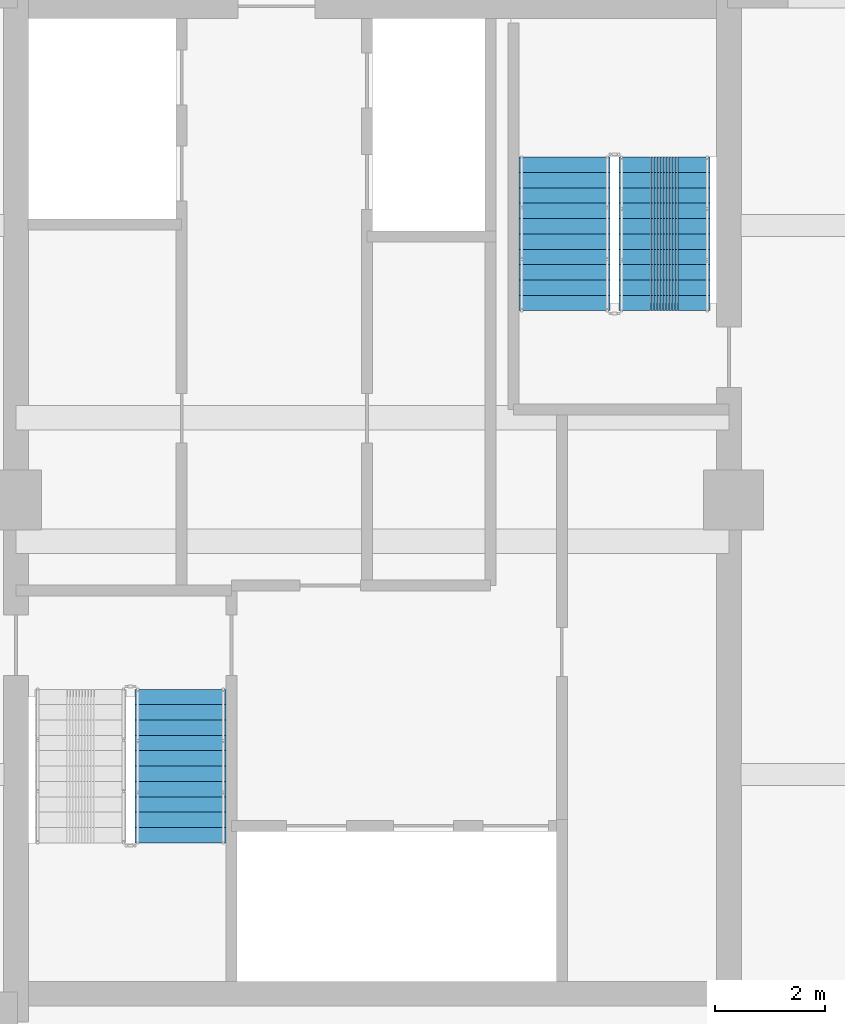
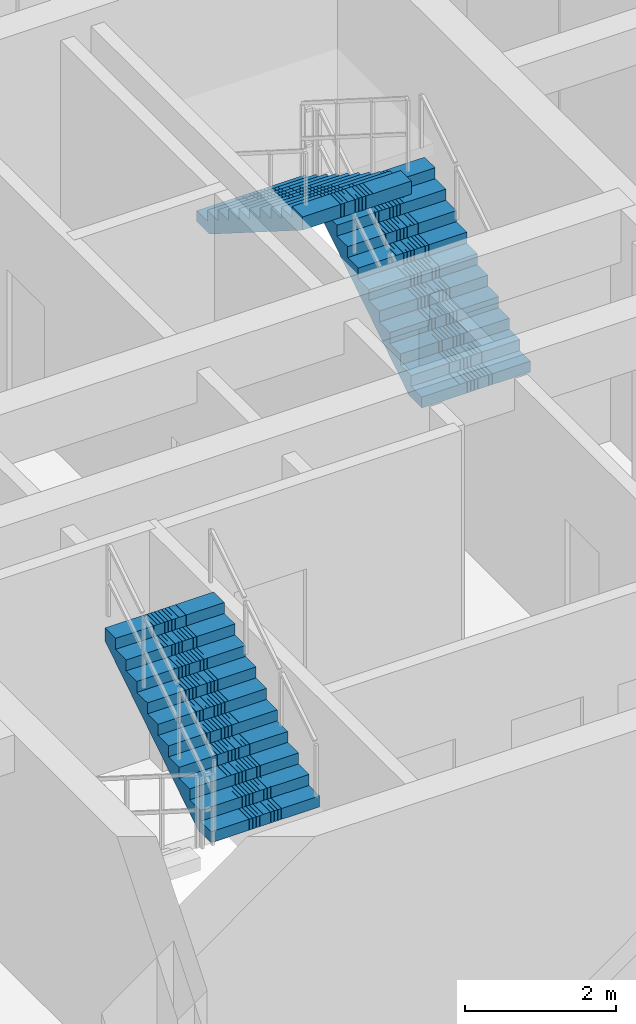
# One storey, part 8 of 13: 3 stair flights, 2 elements without a shape of their own.
"""IFC4 building model written with IfcOpenShell, lengths in metres."""

from ifc_helpers import new_model, si_unit, direction, frame, origin, place, context, subcontext, project, spatial, polyline, outline, extrude, material, type_object, element, aggregate, save


model = new_model("IFC4")

# Units and contexts
model_context = context("Model", 3, precision=1e-05, world=origin(), true_north=direction((0.0, 1.0)))
body_context = subcontext(model_context, "Body", "Model", "MODEL_VIEW")
ifc_project = project(units=[si_unit("LENGTHUNIT", "METRE"), si_unit("AREAUNIT", "SQUARE_METRE"), si_unit("VOLUMEUNIT", "CUBIC_METRE"), si_unit("PLANEANGLEUNIT", "RADIAN"), si_unit("MASSUNIT", "GRAM", prefix="KILO")], contexts=[model_context])

# Site, building, storey
site_placement = place(None, origin())
site = spatial("IfcSite", under=ifc_project, at=site_placement, CompositionType="ELEMENT")
building_placement = place(site_placement, origin())
building = spatial("IfcBuilding", under=site, at=building_placement, Name="Saelheon Loggia Tower", CompositionType="ELEMENT")
storey_placement = place(building_placement, frame((0.0, 0.0, 192.699951171875)))
storey = spatial("IfcBuildingStorey", under=building, at=storey_placement, Name="L60", CompositionType="ELEMENT", Elevation=192.699951171875)

# Stair, stair flight
ifc_material = material(Name="Concrete C40/50", Category="concrete")
stair_type = type_object("IfcStairType", Name="Stair_Escape_Core", PredefinedType="HALF_TURN_STAIR", material=ifc_material)
stair_1_placement = place(storey_placement, origin())
stair_1 = element("IfcStair", 1, at=stair_1_placement, inside=storey, type_object=stair_type, Name="L60 Special Escape Stair ST1", PredefinedType="HALF_TURN_STAIR")
stair_flight_type = type_object("IfcStairFlightType", Name="StairFlight_Tower_1660", PredefinedType="STRAIGHT", material=ifc_material)
stair_flight_1_placement = place(storey_placement, frame((34.5, 20.75, 1.949951171875), z_axis=(0.0, 0.0, 1.0), x_axis=(0.0, 1.0, 0.0)))
stair_flight_1 = element("IfcStairFlight", 2, at=stair_flight_1_placement, type_object=stair_flight_type, Name="ST1 flight 2", NumberOfRisers=11, NumberOfTreads=10, PredefinedType="STRAIGHT", RiserHeight=0.177272727, TreadLength=0.28, context=body_context, shape_type="SweptSolid", body=[
    extrude(outline(polyline([(0.0, 0.0), (0.0, 0.17724609375), (0.280029296875, 0.17724609375), (0.280029296875, 0.3544921875), (0.56005859375, 0.3544921875), (0.56005859375, 0.53173828125), (0.840087890625, 0.53173828125), (0.840087890625, 0.708984375), (1.1201171875, 0.708984375), (1.1201171875, 0.886474609375), (1.39990234375, 0.886474609375), (1.39990234375, 1.063720703125), (1.679931640625, 1.063720703125), (1.679931640625, 1.240966796875), (1.9599609375, 1.240966796875), (1.9599609375, 1.418212890625), (2.239990234375, 1.418212890625), (2.239990234375, 1.595458984375), (2.52001953125, 1.595458984375), (2.52001953125, 1.772705078125), (2.800048828125, 1.772705078125), (2.800048828125, 1.949951171875), (2.800048828125, 1.559814453125), (0.33642578125, 0.0), (0.0, 0.0)])), frame((0.0, -0.2490234375, 0.0), z_axis=(0.0, -1.0, 0.0), x_axis=(1.0, 0.0, 0.0)), (0.0, 0.0, 1.0), 0.5810546875),
    extrude(outline(polyline([(0.0, 0.0), (0.0, 0.17724609375), (0.280029296875, 0.17724609375), (0.280029296875, 0.3544921875), (0.56005859375, 0.3544921875), (0.56005859375, 0.53173828125), (0.840087890625, 0.53173828125), (0.840087890625, 0.708984375), (1.1201171875, 0.708984375), (1.1201171875, 0.886474609375), (1.39990234375, 0.886474609375), (1.39990234375, 1.063720703125), (1.679931640625, 1.063720703125), (1.679931640625, 1.240966796875), (1.9599609375, 1.240966796875), (1.9599609375, 1.418212890625), (2.239990234375, 1.418212890625), (2.239990234375, 1.595458984375), (2.52001953125, 1.595458984375), (2.52001953125, 1.772705078125), (2.800048828125, 1.772705078125), (2.800048828125, 1.949951171875), (2.800048828125, 1.559814453125), (0.33642578125, 0.0), (0.0, 0.0)])), frame((0.0, -0.194091796875, 0.0), z_axis=(0.0, -1.0, 0.0), x_axis=(1.0, 0.0, 0.0)), (0.0, 0.0, 1.0), 0.0498046875),
    extrude(outline(polyline([(0.0, 0.0), (0.0, 0.17724609375), (0.280029296875, 0.17724609375), (0.280029296875, 0.3544921875), (0.56005859375, 0.3544921875), (0.56005859375, 0.53173828125), (0.840087890625, 0.53173828125), (0.840087890625, 0.708984375), (1.1201171875, 0.708984375), (1.1201171875, 0.886474609375), (1.39990234375, 0.886474609375), (1.39990234375, 1.063720703125), (1.679931640625, 1.063720703125), (1.679931640625, 1.240966796875), (1.9599609375, 1.240966796875), (1.9599609375, 1.418212890625), (2.239990234375, 1.418212890625), (2.239990234375, 1.595458984375), (2.52001953125, 1.595458984375), (2.52001953125, 1.772705078125), (2.800048828125, 1.772705078125), (2.800048828125, 1.949951171875), (2.800048828125, 1.559814453125), (0.33642578125, 0.0), (0.0, 0.0)])), frame((0.0, -0.139404296875, 0.0), z_axis=(0.0, -1.0, 0.0), x_axis=(1.0, 0.0, 0.0)), (0.0, 0.0, 1.0), 0.0498046875),
    extrude(outline(polyline([(0.0, 0.0), (0.0, 0.17724609375), (0.280029296875, 0.17724609375), (0.280029296875, 0.3544921875), (0.56005859375, 0.3544921875), (0.56005859375, 0.53173828125), (0.840087890625, 0.53173828125), (0.840087890625, 0.708984375), (1.1201171875, 0.708984375), (1.1201171875, 0.886474609375), (1.39990234375, 0.886474609375), (1.39990234375, 1.063720703125), (1.679931640625, 1.063720703125), (1.679931640625, 1.240966796875), (1.9599609375, 1.240966796875), (1.9599609375, 1.418212890625), (2.239990234375, 1.418212890625), (2.239990234375, 1.595458984375), (2.52001953125, 1.595458984375), (2.52001953125, 1.772705078125), (2.800048828125, 1.772705078125), (2.800048828125, 1.949951171875), (2.800048828125, 1.559814453125), (0.33642578125, 0.0), (0.0, 0.0)])), frame((0.0, -0.084716796875, 0.0), z_axis=(0.0, -1.0, 0.0), x_axis=(1.0, 0.0, 0.0)), (0.0, 0.0, 1.0), 0.0498046875),
    extrude(outline(polyline([(0.0, 0.0), (0.0, 0.17724609375), (0.280029296875, 0.17724609375), (0.280029296875, 0.3544921875), (0.56005859375, 0.3544921875), (0.56005859375, 0.53173828125), (0.840087890625, 0.53173828125), (0.840087890625, 0.708984375), (1.1201171875, 0.708984375), (1.1201171875, 0.886474609375), (1.39990234375, 0.886474609375), (1.39990234375, 1.063720703125), (1.679931640625, 1.063720703125), (1.679931640625, 1.240966796875), (1.9599609375, 1.240966796875), (1.9599609375, 1.418212890625), (2.239990234375, 1.418212890625), (2.239990234375, 1.595458984375), (2.52001953125, 1.595458984375), (2.52001953125, 1.772705078125), (2.800048828125, 1.772705078125), (2.800048828125, 1.949951171875), (2.800048828125, 1.559814453125), (0.33642578125, 0.0), (0.0, 0.0)])), frame((0.0, -0.02978515625, 0.0), z_axis=(0.0, -1.0, 0.0), x_axis=(1.0, 0.0, 0.0)), (0.0, 0.0, 1.0), 0.0498046875),
    extrude(outline(polyline([(0.0, 0.0), (0.0, 0.17724609375), (0.280029296875, 0.17724609375), (0.280029296875, 0.3544921875), (0.56005859375, 0.3544921875), (0.56005859375, 0.53173828125), (0.840087890625, 0.53173828125), (0.840087890625, 0.708984375), (1.1201171875, 0.708984375), (1.1201171875, 0.886474609375), (1.39990234375, 0.886474609375), (1.39990234375, 1.063720703125), (1.679931640625, 1.063720703125), (1.679931640625, 1.240966796875), (1.9599609375, 1.240966796875), (1.9599609375, 1.418212890625), (2.239990234375, 1.418212890625), (2.239990234375, 1.595458984375), (2.52001953125, 1.595458984375), (2.52001953125, 1.772705078125), (2.800048828125, 1.772705078125), (2.800048828125, 1.949951171875), (2.800048828125, 1.559814453125), (0.33642578125, 0.0), (0.0, 0.0)])), frame((0.0, 0.02490234375, 0.0), z_axis=(0.0, -1.0, 0.0), x_axis=(1.0, 0.0, 0.0)), (0.0, 0.0, 1.0), 0.0498046875),
    extrude(outline(polyline([(0.0, 0.0), (0.0, 0.17724609375), (0.280029296875, 0.17724609375), (0.280029296875, 0.3544921875), (0.56005859375, 0.3544921875), (0.56005859375, 0.53173828125), (0.840087890625, 0.53173828125), (0.840087890625, 0.708984375), (1.1201171875, 0.708984375), (1.1201171875, 0.886474609375), (1.39990234375, 0.886474609375), (1.39990234375, 1.063720703125), (1.679931640625, 1.063720703125), (1.679931640625, 1.240966796875), (1.9599609375, 1.240966796875), (1.9599609375, 1.418212890625), (2.239990234375, 1.418212890625), (2.239990234375, 1.595458984375), (2.52001953125, 1.595458984375), (2.52001953125, 1.772705078125), (2.800048828125, 1.772705078125), (2.800048828125, 1.949951171875), (2.800048828125, 1.559814453125), (0.33642578125, 0.0), (0.0, 0.0)])), frame((0.0, 0.07958984375, 0.0), z_axis=(0.0, -1.0, 0.0), x_axis=(1.0, 0.0, 0.0)), (0.0, 0.0, 1.0), 0.0498046875),
    extrude(outline(polyline([(0.0, 0.0), (0.0, 0.17724609375), (0.280029296875, 0.17724609375), (0.280029296875, 0.3544921875), (0.56005859375, 0.3544921875), (0.56005859375, 0.53173828125), (0.840087890625, 0.53173828125), (0.840087890625, 0.708984375), (1.1201171875, 0.708984375), (1.1201171875, 0.886474609375), (1.39990234375, 0.886474609375), (1.39990234375, 1.063720703125), (1.679931640625, 1.063720703125), (1.679931640625, 1.240966796875), (1.9599609375, 1.240966796875), (1.9599609375, 1.418212890625), (2.239990234375, 1.418212890625), (2.239990234375, 1.595458984375), (2.52001953125, 1.595458984375), (2.52001953125, 1.772705078125), (2.800048828125, 1.772705078125), (2.800048828125, 1.949951171875), (2.800048828125, 1.559814453125), (0.33642578125, 0.0), (0.0, 0.0)])), frame((0.0, 0.134521484375, 0.0), z_axis=(0.0, -1.0, 0.0), x_axis=(1.0, 0.0, 0.0)), (0.0, 0.0, 1.0), 0.0498046875),
    extrude(outline(polyline([(0.0, 0.0), (0.0, 0.17724609375), (0.280029296875, 0.17724609375), (0.280029296875, 0.3544921875), (0.56005859375, 0.3544921875), (0.56005859375, 0.53173828125), (0.840087890625, 0.53173828125), (0.840087890625, 0.708984375), (1.1201171875, 0.708984375), (1.1201171875, 0.886474609375), (1.39990234375, 0.886474609375), (1.39990234375, 1.063720703125), (1.679931640625, 1.063720703125), (1.679931640625, 1.240966796875), (1.9599609375, 1.240966796875), (1.9599609375, 1.418212890625), (2.239990234375, 1.418212890625), (2.239990234375, 1.595458984375), (2.52001953125, 1.595458984375), (2.52001953125, 1.772705078125), (2.800048828125, 1.772705078125), (2.800048828125, 1.949951171875), (2.800048828125, 1.559814453125), (0.33642578125, 0.0), (0.0, 0.0)])), frame((0.0, 0.189208984375, 0.0), z_axis=(0.0, -1.0, 0.0), x_axis=(1.0, 0.0, 0.0)), (0.0, 0.0, 1.0), 0.0498046875),
    extrude(outline(polyline([(0.0, 0.0), (0.0, 0.17724609375), (0.280029296875, 0.17724609375), (0.280029296875, 0.3544921875), (0.56005859375, 0.3544921875), (0.56005859375, 0.53173828125), (0.840087890625, 0.53173828125), (0.840087890625, 0.708984375), (1.1201171875, 0.708984375), (1.1201171875, 0.886474609375), (1.39990234375, 0.886474609375), (1.39990234375, 1.063720703125), (1.679931640625, 1.063720703125), (1.679931640625, 1.240966796875), (1.9599609375, 1.240966796875), (1.9599609375, 1.418212890625), (2.239990234375, 1.418212890625), (2.239990234375, 1.595458984375), (2.52001953125, 1.595458984375), (2.52001953125, 1.772705078125), (2.800048828125, 1.772705078125), (2.800048828125, 1.949951171875), (2.800048828125, 1.559814453125), (0.33642578125, 0.0), (0.0, 0.0)])), frame((0.0, 0.243896484375, 0.0), z_axis=(0.0, -1.0, 0.0), x_axis=(1.0, 0.0, 0.0)), (0.0, 0.0, 1.0), 0.0498046875),
    extrude(outline(polyline([(0.0, 0.0), (0.0, 0.17724609375), (0.280029296875, 0.17724609375), (0.280029296875, 0.3544921875), (0.56005859375, 0.3544921875), (0.56005859375, 0.53173828125), (0.840087890625, 0.53173828125), (0.840087890625, 0.708984375), (1.1201171875, 0.708984375), (1.1201171875, 0.886474609375), (1.39990234375, 0.886474609375), (1.39990234375, 1.063720703125), (1.679931640625, 1.063720703125), (1.679931640625, 1.240966796875), (1.9599609375, 1.240966796875), (1.9599609375, 1.418212890625), (2.239990234375, 1.418212890625), (2.239990234375, 1.595458984375), (2.52001953125, 1.595458984375), (2.52001953125, 1.772705078125), (2.800048828125, 1.772705078125), (2.800048828125, 1.949951171875), (2.800048828125, 1.559814453125), (0.33642578125, 0.0), (0.0, 0.0)])), frame((0.0, 0.830078125, 0.0), z_axis=(0.0, -1.0, 0.0), x_axis=(1.0, 0.0, 0.0)), (0.0, 0.0, 1.0), 0.5810546875),
])
aggregate(stair_1, [stair_flight_1])

# Stair, stair flights
stair_2_placement = place(storey_placement, origin())
stair_2 = element("IfcStair", 3, at=stair_2_placement, inside=storey, type_object=stair_type, Name="L60 Special Escape Stair ST2", PredefinedType="HALF_TURN_STAIR")
stair_flight_2_placement = place(storey_placement, frame((43.320068359375, 30.449951171875, 0.0), z_axis=(0.0, 0.0, 1.0), x_axis=(0.0, 1.0, 0.0)))
stair_flight_2 = element("IfcStairFlight", 4, at=stair_flight_2_placement, type_object=stair_flight_type, Name="ST2 flight 1", NumberOfRisers=11, NumberOfTreads=10, PredefinedType="STRAIGHT", RiserHeight=0.177272727, TreadLength=0.28, context=body_context, shape_type="SweptSolid", body=[
    extrude(outline(polyline([(0.0, 0.0), (0.0, 0.17724609375), (0.280029296875, 0.17724609375), (0.280029296875, 0.3544921875), (0.56005859375, 0.3544921875), (0.56005859375, 0.53173828125), (0.840087890625, 0.53173828125), (0.840087890625, 0.708984375), (1.1201171875, 0.708984375), (1.1201171875, 0.886474609375), (1.39990234375, 0.886474609375), (1.39990234375, 1.063720703125), (1.679931640625, 1.063720703125), (1.679931640625, 1.240966796875), (1.9599609375, 1.240966796875), (1.9599609375, 1.418212890625), (2.239990234375, 1.418212890625), (2.239990234375, 1.595458984375), (2.52001953125, 1.595458984375), (2.52001953125, 1.772705078125), (2.800048828125, 1.772705078125), (2.800048828125, 1.949951171875), (2.800048828125, 1.559814453125), (0.33642578125, 0.0), (0.0, 0.0)])), frame((0.0, -0.2490234375, 0.0), z_axis=(0.0, -1.0, 0.0), x_axis=(1.0, 0.0, 0.0)), (0.0, 0.0, 1.0), 0.5810546875),
    extrude(outline(polyline([(0.0, 0.0), (0.0, 0.17724609375), (0.280029296875, 0.17724609375), (0.280029296875, 0.3544921875), (0.56005859375, 0.3544921875), (0.56005859375, 0.53173828125), (0.840087890625, 0.53173828125), (0.840087890625, 0.708984375), (1.1201171875, 0.708984375), (1.1201171875, 0.886474609375), (1.39990234375, 0.886474609375), (1.39990234375, 1.063720703125), (1.679931640625, 1.063720703125), (1.679931640625, 1.240966796875), (1.9599609375, 1.240966796875), (1.9599609375, 1.418212890625), (2.239990234375, 1.418212890625), (2.239990234375, 1.595458984375), (2.52001953125, 1.595458984375), (2.52001953125, 1.772705078125), (2.800048828125, 1.772705078125), (2.800048828125, 1.949951171875), (2.800048828125, 1.559814453125), (0.33642578125, 0.0), (0.0, 0.0)])), frame((0.0, -0.194091796875, 0.0), z_axis=(0.0, -1.0, 0.0), x_axis=(1.0, 0.0, 0.0)), (0.0, 0.0, 1.0), 0.0498046875),
    extrude(outline(polyline([(0.0, 0.0), (0.0, 0.17724609375), (0.280029296875, 0.17724609375), (0.280029296875, 0.3544921875), (0.56005859375, 0.3544921875), (0.56005859375, 0.53173828125), (0.840087890625, 0.53173828125), (0.840087890625, 0.708984375), (1.1201171875, 0.708984375), (1.1201171875, 0.886474609375), (1.39990234375, 0.886474609375), (1.39990234375, 1.063720703125), (1.679931640625, 1.063720703125), (1.679931640625, 1.240966796875), (1.9599609375, 1.240966796875), (1.9599609375, 1.418212890625), (2.239990234375, 1.418212890625), (2.239990234375, 1.595458984375), (2.52001953125, 1.595458984375), (2.52001953125, 1.772705078125), (2.800048828125, 1.772705078125), (2.800048828125, 1.949951171875), (2.800048828125, 1.559814453125), (0.33642578125, 0.0), (0.0, 0.0)])), frame((0.0, -0.139404296875, 0.0), z_axis=(0.0, -1.0, 0.0), x_axis=(1.0, 0.0, 0.0)), (0.0, 0.0, 1.0), 0.0498046875),
    extrude(outline(polyline([(0.0, 0.0), (0.0, 0.17724609375), (0.280029296875, 0.17724609375), (0.280029296875, 0.3544921875), (0.56005859375, 0.3544921875), (0.56005859375, 0.53173828125), (0.840087890625, 0.53173828125), (0.840087890625, 0.708984375), (1.1201171875, 0.708984375), (1.1201171875, 0.886474609375), (1.39990234375, 0.886474609375), (1.39990234375, 1.063720703125), (1.679931640625, 1.063720703125), (1.679931640625, 1.240966796875), (1.9599609375, 1.240966796875), (1.9599609375, 1.418212890625), (2.239990234375, 1.418212890625), (2.239990234375, 1.595458984375), (2.52001953125, 1.595458984375), (2.52001953125, 1.772705078125), (2.800048828125, 1.772705078125), (2.800048828125, 1.949951171875), (2.800048828125, 1.559814453125), (0.33642578125, 0.0), (0.0, 0.0)])), frame((0.0, -0.084716796875, 0.0), z_axis=(0.0, -1.0, 0.0), x_axis=(1.0, 0.0, 0.0)), (0.0, 0.0, 1.0), 0.0498046875),
    extrude(outline(polyline([(0.0, 0.0), (0.0, 0.17724609375), (0.280029296875, 0.17724609375), (0.280029296875, 0.3544921875), (0.56005859375, 0.3544921875), (0.56005859375, 0.53173828125), (0.840087890625, 0.53173828125), (0.840087890625, 0.708984375), (1.1201171875, 0.708984375), (1.1201171875, 0.886474609375), (1.39990234375, 0.886474609375), (1.39990234375, 1.063720703125), (1.679931640625, 1.063720703125), (1.679931640625, 1.240966796875), (1.9599609375, 1.240966796875), (1.9599609375, 1.418212890625), (2.239990234375, 1.418212890625), (2.239990234375, 1.595458984375), (2.52001953125, 1.595458984375), (2.52001953125, 1.772705078125), (2.800048828125, 1.772705078125), (2.800048828125, 1.949951171875), (2.800048828125, 1.559814453125), (0.33642578125, 0.0), (0.0, 0.0)])), frame((0.0, -0.02978515625, 0.0), z_axis=(0.0, -1.0, 0.0), x_axis=(1.0, 0.0, 0.0)), (0.0, 0.0, 1.0), 0.0498046875),
    extrude(outline(polyline([(0.0, 0.0), (0.0, 0.17724609375), (0.280029296875, 0.17724609375), (0.280029296875, 0.3544921875), (0.56005859375, 0.3544921875), (0.56005859375, 0.53173828125), (0.840087890625, 0.53173828125), (0.840087890625, 0.708984375), (1.1201171875, 0.708984375), (1.1201171875, 0.886474609375), (1.39990234375, 0.886474609375), (1.39990234375, 1.063720703125), (1.679931640625, 1.063720703125), (1.679931640625, 1.240966796875), (1.9599609375, 1.240966796875), (1.9599609375, 1.418212890625), (2.239990234375, 1.418212890625), (2.239990234375, 1.595458984375), (2.52001953125, 1.595458984375), (2.52001953125, 1.772705078125), (2.800048828125, 1.772705078125), (2.800048828125, 1.949951171875), (2.800048828125, 1.559814453125), (0.33642578125, 0.0), (0.0, 0.0)])), frame((0.0, 0.02490234375, 0.0), z_axis=(0.0, -1.0, 0.0), x_axis=(1.0, 0.0, 0.0)), (0.0, 0.0, 1.0), 0.0498046875),
    extrude(outline(polyline([(0.0, 0.0), (0.0, 0.17724609375), (0.280029296875, 0.17724609375), (0.280029296875, 0.3544921875), (0.56005859375, 0.3544921875), (0.56005859375, 0.53173828125), (0.840087890625, 0.53173828125), (0.840087890625, 0.708984375), (1.1201171875, 0.708984375), (1.1201171875, 0.886474609375), (1.39990234375, 0.886474609375), (1.39990234375, 1.063720703125), (1.679931640625, 1.063720703125), (1.679931640625, 1.240966796875), (1.9599609375, 1.240966796875), (1.9599609375, 1.418212890625), (2.239990234375, 1.418212890625), (2.239990234375, 1.595458984375), (2.52001953125, 1.595458984375), (2.52001953125, 1.772705078125), (2.800048828125, 1.772705078125), (2.800048828125, 1.949951171875), (2.800048828125, 1.559814453125), (0.33642578125, 0.0), (0.0, 0.0)])), frame((0.0, 0.07958984375, 0.0), z_axis=(0.0, -1.0, 0.0), x_axis=(1.0, 0.0, 0.0)), (0.0, 0.0, 1.0), 0.0498046875),
    extrude(outline(polyline([(0.0, 0.0), (0.0, 0.17724609375), (0.280029296875, 0.17724609375), (0.280029296875, 0.3544921875), (0.56005859375, 0.3544921875), (0.56005859375, 0.53173828125), (0.840087890625, 0.53173828125), (0.840087890625, 0.708984375), (1.1201171875, 0.708984375), (1.1201171875, 0.886474609375), (1.39990234375, 0.886474609375), (1.39990234375, 1.063720703125), (1.679931640625, 1.063720703125), (1.679931640625, 1.240966796875), (1.9599609375, 1.240966796875), (1.9599609375, 1.418212890625), (2.239990234375, 1.418212890625), (2.239990234375, 1.595458984375), (2.52001953125, 1.595458984375), (2.52001953125, 1.772705078125), (2.800048828125, 1.772705078125), (2.800048828125, 1.949951171875), (2.800048828125, 1.559814453125), (0.33642578125, 0.0), (0.0, 0.0)])), frame((0.0, 0.134521484375, 0.0), z_axis=(0.0, -1.0, 0.0), x_axis=(1.0, 0.0, 0.0)), (0.0, 0.0, 1.0), 0.0498046875),
    extrude(outline(polyline([(0.0, 0.0), (0.0, 0.17724609375), (0.280029296875, 0.17724609375), (0.280029296875, 0.3544921875), (0.56005859375, 0.3544921875), (0.56005859375, 0.53173828125), (0.840087890625, 0.53173828125), (0.840087890625, 0.708984375), (1.1201171875, 0.708984375), (1.1201171875, 0.886474609375), (1.39990234375, 0.886474609375), (1.39990234375, 1.063720703125), (1.679931640625, 1.063720703125), (1.679931640625, 1.240966796875), (1.9599609375, 1.240966796875), (1.9599609375, 1.418212890625), (2.239990234375, 1.418212890625), (2.239990234375, 1.595458984375), (2.52001953125, 1.595458984375), (2.52001953125, 1.772705078125), (2.800048828125, 1.772705078125), (2.800048828125, 1.949951171875), (2.800048828125, 1.559814453125), (0.33642578125, 0.0), (0.0, 0.0)])), frame((0.0, 0.189208984375, 0.0), z_axis=(0.0, -1.0, 0.0), x_axis=(1.0, 0.0, 0.0)), (0.0, 0.0, 1.0), 0.0498046875),
    extrude(outline(polyline([(0.0, 0.0), (0.0, 0.17724609375), (0.280029296875, 0.17724609375), (0.280029296875, 0.3544921875), (0.56005859375, 0.3544921875), (0.56005859375, 0.53173828125), (0.840087890625, 0.53173828125), (0.840087890625, 0.708984375), (1.1201171875, 0.708984375), (1.1201171875, 0.886474609375), (1.39990234375, 0.886474609375), (1.39990234375, 1.063720703125), (1.679931640625, 1.063720703125), (1.679931640625, 1.240966796875), (1.9599609375, 1.240966796875), (1.9599609375, 1.418212890625), (2.239990234375, 1.418212890625), (2.239990234375, 1.595458984375), (2.52001953125, 1.595458984375), (2.52001953125, 1.772705078125), (2.800048828125, 1.772705078125), (2.800048828125, 1.949951171875), (2.800048828125, 1.559814453125), (0.33642578125, 0.0), (0.0, 0.0)])), frame((0.0, 0.243896484375, 0.0), z_axis=(0.0, -1.0, 0.0), x_axis=(1.0, 0.0, 0.0)), (0.0, 0.0, 1.0), 0.0498046875),
    extrude(outline(polyline([(0.0, 0.0), (0.0, 0.17724609375), (0.280029296875, 0.17724609375), (0.280029296875, 0.3544921875), (0.56005859375, 0.3544921875), (0.56005859375, 0.53173828125), (0.840087890625, 0.53173828125), (0.840087890625, 0.708984375), (1.1201171875, 0.708984375), (1.1201171875, 0.886474609375), (1.39990234375, 0.886474609375), (1.39990234375, 1.063720703125), (1.679931640625, 1.063720703125), (1.679931640625, 1.240966796875), (1.9599609375, 1.240966796875), (1.9599609375, 1.418212890625), (2.239990234375, 1.418212890625), (2.239990234375, 1.595458984375), (2.52001953125, 1.595458984375), (2.52001953125, 1.772705078125), (2.800048828125, 1.772705078125), (2.800048828125, 1.949951171875), (2.800048828125, 1.559814453125), (0.33642578125, 0.0), (0.0, 0.0)])), frame((0.0, 0.830078125, 0.0), z_axis=(0.0, -1.0, 0.0), x_axis=(1.0, 0.0, 0.0)), (0.0, 0.0, 1.0), 0.5810546875),
])
stair_flight_3_placement = place(storey_placement, frame((41.5, 33.25, 1.949951171875), z_axis=(0.0, 0.0, 1.0), x_axis=(0.0, -1.0, 0.0)))
stair_flight_3 = element("IfcStairFlight", 5, at=stair_flight_3_placement, type_object=stair_flight_type, Name="ST2 flight 2", NumberOfRisers=11, NumberOfTreads=10, PredefinedType="STRAIGHT", RiserHeight=0.177272727, TreadLength=0.28, context=body_context, shape_type="SweptSolid", body=[
    extrude(outline(polyline([(0.0, 0.0), (0.0, 0.17724609375), (0.280029296875, 0.17724609375), (0.280029296875, 0.3544921875), (0.56005859375, 0.3544921875), (0.56005859375, 0.53173828125), (0.840087890625, 0.53173828125), (0.840087890625, 0.708984375), (1.1201171875, 0.708984375), (1.1201171875, 0.886474609375), (1.39990234375, 0.886474609375), (1.39990234375, 1.063720703125), (1.679931640625, 1.063720703125), (1.679931640625, 1.240966796875), (1.9599609375, 1.240966796875), (1.9599609375, 1.418212890625), (2.239990234375, 1.418212890625), (2.239990234375, 1.595458984375), (2.52001953125, 1.595458984375), (2.52001953125, 1.772705078125), (2.800048828125, 1.772705078125), (2.800048828125, 1.949951171875), (2.800048828125, 1.559814453125), (0.33642578125, 0.0), (0.0, 0.0)])), frame((0.0, -0.2490234375, 0.0), z_axis=(0.0, -1.0, 0.0), x_axis=(1.0, 0.0, 0.0)), (0.0, 0.0, 1.0), 0.5810546875),
    extrude(outline(polyline([(0.0, 0.0), (0.0, 0.17724609375), (0.280029296875, 0.17724609375), (0.280029296875, 0.3544921875), (0.56005859375, 0.3544921875), (0.56005859375, 0.53173828125), (0.840087890625, 0.53173828125), (0.840087890625, 0.708984375), (1.1201171875, 0.708984375), (1.1201171875, 0.886474609375), (1.39990234375, 0.886474609375), (1.39990234375, 1.063720703125), (1.679931640625, 1.063720703125), (1.679931640625, 1.240966796875), (1.9599609375, 1.240966796875), (1.9599609375, 1.418212890625), (2.239990234375, 1.418212890625), (2.239990234375, 1.595458984375), (2.52001953125, 1.595458984375), (2.52001953125, 1.772705078125), (2.800048828125, 1.772705078125), (2.800048828125, 1.949951171875), (2.800048828125, 1.559814453125), (0.33642578125, 0.0), (0.0, 0.0)])), frame((0.0, -0.194091796875, 0.0), z_axis=(0.0, -1.0, 0.0), x_axis=(1.0, 0.0, 0.0)), (0.0, 0.0, 1.0), 0.0498046875),
    extrude(outline(polyline([(0.0, 0.0), (0.0, 0.17724609375), (0.280029296875, 0.17724609375), (0.280029296875, 0.3544921875), (0.56005859375, 0.3544921875), (0.56005859375, 0.53173828125), (0.840087890625, 0.53173828125), (0.840087890625, 0.708984375), (1.1201171875, 0.708984375), (1.1201171875, 0.886474609375), (1.39990234375, 0.886474609375), (1.39990234375, 1.063720703125), (1.679931640625, 1.063720703125), (1.679931640625, 1.240966796875), (1.9599609375, 1.240966796875), (1.9599609375, 1.418212890625), (2.239990234375, 1.418212890625), (2.239990234375, 1.595458984375), (2.52001953125, 1.595458984375), (2.52001953125, 1.772705078125), (2.800048828125, 1.772705078125), (2.800048828125, 1.949951171875), (2.800048828125, 1.559814453125), (0.33642578125, 0.0), (0.0, 0.0)])), frame((0.0, -0.139404296875, 0.0), z_axis=(0.0, -1.0, 0.0), x_axis=(1.0, 0.0, 0.0)), (0.0, 0.0, 1.0), 0.0498046875),
    extrude(outline(polyline([(0.0, 0.0), (0.0, 0.17724609375), (0.280029296875, 0.17724609375), (0.280029296875, 0.3544921875), (0.56005859375, 0.3544921875), (0.56005859375, 0.53173828125), (0.840087890625, 0.53173828125), (0.840087890625, 0.708984375), (1.1201171875, 0.708984375), (1.1201171875, 0.886474609375), (1.39990234375, 0.886474609375), (1.39990234375, 1.063720703125), (1.679931640625, 1.063720703125), (1.679931640625, 1.240966796875), (1.9599609375, 1.240966796875), (1.9599609375, 1.418212890625), (2.239990234375, 1.418212890625), (2.239990234375, 1.595458984375), (2.52001953125, 1.595458984375), (2.52001953125, 1.772705078125), (2.800048828125, 1.772705078125), (2.800048828125, 1.949951171875), (2.800048828125, 1.559814453125), (0.33642578125, 0.0), (0.0, 0.0)])), frame((0.0, -0.084716796875, 0.0), z_axis=(0.0, -1.0, 0.0), x_axis=(1.0, 0.0, 0.0)), (0.0, 0.0, 1.0), 0.0498046875),
    extrude(outline(polyline([(0.0, 0.0), (0.0, 0.17724609375), (0.280029296875, 0.17724609375), (0.280029296875, 0.3544921875), (0.56005859375, 0.3544921875), (0.56005859375, 0.53173828125), (0.840087890625, 0.53173828125), (0.840087890625, 0.708984375), (1.1201171875, 0.708984375), (1.1201171875, 0.886474609375), (1.39990234375, 0.886474609375), (1.39990234375, 1.063720703125), (1.679931640625, 1.063720703125), (1.679931640625, 1.240966796875), (1.9599609375, 1.240966796875), (1.9599609375, 1.418212890625), (2.239990234375, 1.418212890625), (2.239990234375, 1.595458984375), (2.52001953125, 1.595458984375), (2.52001953125, 1.772705078125), (2.800048828125, 1.772705078125), (2.800048828125, 1.949951171875), (2.800048828125, 1.559814453125), (0.33642578125, 0.0), (0.0, 0.0)])), frame((0.0, -0.02978515625, 0.0), z_axis=(0.0, -1.0, 0.0), x_axis=(1.0, 0.0, 0.0)), (0.0, 0.0, 1.0), 0.0498046875),
    extrude(outline(polyline([(0.0, 0.0), (0.0, 0.17724609375), (0.280029296875, 0.17724609375), (0.280029296875, 0.3544921875), (0.56005859375, 0.3544921875), (0.56005859375, 0.53173828125), (0.840087890625, 0.53173828125), (0.840087890625, 0.708984375), (1.1201171875, 0.708984375), (1.1201171875, 0.886474609375), (1.39990234375, 0.886474609375), (1.39990234375, 1.063720703125), (1.679931640625, 1.063720703125), (1.679931640625, 1.240966796875), (1.9599609375, 1.240966796875), (1.9599609375, 1.418212890625), (2.239990234375, 1.418212890625), (2.239990234375, 1.595458984375), (2.52001953125, 1.595458984375), (2.52001953125, 1.772705078125), (2.800048828125, 1.772705078125), (2.800048828125, 1.949951171875), (2.800048828125, 1.559814453125), (0.33642578125, 0.0), (0.0, 0.0)])), frame((0.0, 0.02490234375, 0.0), z_axis=(0.0, -1.0, 0.0), x_axis=(1.0, 0.0, 0.0)), (0.0, 0.0, 1.0), 0.0498046875),
    extrude(outline(polyline([(0.0, 0.0), (0.0, 0.17724609375), (0.280029296875, 0.17724609375), (0.280029296875, 0.3544921875), (0.56005859375, 0.3544921875), (0.56005859375, 0.53173828125), (0.840087890625, 0.53173828125), (0.840087890625, 0.708984375), (1.1201171875, 0.708984375), (1.1201171875, 0.886474609375), (1.39990234375, 0.886474609375), (1.39990234375, 1.063720703125), (1.679931640625, 1.063720703125), (1.679931640625, 1.240966796875), (1.9599609375, 1.240966796875), (1.9599609375, 1.418212890625), (2.239990234375, 1.418212890625), (2.239990234375, 1.595458984375), (2.52001953125, 1.595458984375), (2.52001953125, 1.772705078125), (2.800048828125, 1.772705078125), (2.800048828125, 1.949951171875), (2.800048828125, 1.559814453125), (0.33642578125, 0.0), (0.0, 0.0)])), frame((0.0, 0.07958984375, 0.0), z_axis=(0.0, -1.0, 0.0), x_axis=(1.0, 0.0, 0.0)), (0.0, 0.0, 1.0), 0.0498046875),
    extrude(outline(polyline([(0.0, 0.0), (0.0, 0.17724609375), (0.280029296875, 0.17724609375), (0.280029296875, 0.3544921875), (0.56005859375, 0.3544921875), (0.56005859375, 0.53173828125), (0.840087890625, 0.53173828125), (0.840087890625, 0.708984375), (1.1201171875, 0.708984375), (1.1201171875, 0.886474609375), (1.39990234375, 0.886474609375), (1.39990234375, 1.063720703125), (1.679931640625, 1.063720703125), (1.679931640625, 1.240966796875), (1.9599609375, 1.240966796875), (1.9599609375, 1.418212890625), (2.239990234375, 1.418212890625), (2.239990234375, 1.595458984375), (2.52001953125, 1.595458984375), (2.52001953125, 1.772705078125), (2.800048828125, 1.772705078125), (2.800048828125, 1.949951171875), (2.800048828125, 1.559814453125), (0.33642578125, 0.0), (0.0, 0.0)])), frame((0.0, 0.134521484375, 0.0), z_axis=(0.0, -1.0, 0.0), x_axis=(1.0, 0.0, 0.0)), (0.0, 0.0, 1.0), 0.0498046875),
    extrude(outline(polyline([(0.0, 0.0), (0.0, 0.17724609375), (0.280029296875, 0.17724609375), (0.280029296875, 0.3544921875), (0.56005859375, 0.3544921875), (0.56005859375, 0.53173828125), (0.840087890625, 0.53173828125), (0.840087890625, 0.708984375), (1.1201171875, 0.708984375), (1.1201171875, 0.886474609375), (1.39990234375, 0.886474609375), (1.39990234375, 1.063720703125), (1.679931640625, 1.063720703125), (1.679931640625, 1.240966796875), (1.9599609375, 1.240966796875), (1.9599609375, 1.418212890625), (2.239990234375, 1.418212890625), (2.239990234375, 1.595458984375), (2.52001953125, 1.595458984375), (2.52001953125, 1.772705078125), (2.800048828125, 1.772705078125), (2.800048828125, 1.949951171875), (2.800048828125, 1.559814453125), (0.33642578125, 0.0), (0.0, 0.0)])), frame((0.0, 0.189208984375, 0.0), z_axis=(0.0, -1.0, 0.0), x_axis=(1.0, 0.0, 0.0)), (0.0, 0.0, 1.0), 0.0498046875),
    extrude(outline(polyline([(0.0, 0.0), (0.0, 0.17724609375), (0.280029296875, 0.17724609375), (0.280029296875, 0.3544921875), (0.56005859375, 0.3544921875), (0.56005859375, 0.53173828125), (0.840087890625, 0.53173828125), (0.840087890625, 0.708984375), (1.1201171875, 0.708984375), (1.1201171875, 0.886474609375), (1.39990234375, 0.886474609375), (1.39990234375, 1.063720703125), (1.679931640625, 1.063720703125), (1.679931640625, 1.240966796875), (1.9599609375, 1.240966796875), (1.9599609375, 1.418212890625), (2.239990234375, 1.418212890625), (2.239990234375, 1.595458984375), (2.52001953125, 1.595458984375), (2.52001953125, 1.772705078125), (2.800048828125, 1.772705078125), (2.800048828125, 1.949951171875), (2.800048828125, 1.559814453125), (0.33642578125, 0.0), (0.0, 0.0)])), frame((0.0, 0.243896484375, 0.0), z_axis=(0.0, -1.0, 0.0), x_axis=(1.0, 0.0, 0.0)), (0.0, 0.0, 1.0), 0.0498046875),
    extrude(outline(polyline([(0.0, 0.0), (0.0, 0.17724609375), (0.280029296875, 0.17724609375), (0.280029296875, 0.3544921875), (0.56005859375, 0.3544921875), (0.56005859375, 0.53173828125), (0.840087890625, 0.53173828125), (0.840087890625, 0.708984375), (1.1201171875, 0.708984375), (1.1201171875, 0.886474609375), (1.39990234375, 0.886474609375), (1.39990234375, 1.063720703125), (1.679931640625, 1.063720703125), (1.679931640625, 1.240966796875), (1.9599609375, 1.240966796875), (1.9599609375, 1.418212890625), (2.239990234375, 1.418212890625), (2.239990234375, 1.595458984375), (2.52001953125, 1.595458984375), (2.52001953125, 1.772705078125), (2.800048828125, 1.772705078125), (2.800048828125, 1.949951171875), (2.800048828125, 1.559814453125), (0.33642578125, 0.0), (0.0, 0.0)])), frame((0.0, 0.830078125, 0.0), z_axis=(0.0, -1.0, 0.0), x_axis=(1.0, 0.0, 0.0)), (0.0, 0.0, 1.0), 0.5810546875),
])
aggregate(stair_2, [stair_flight_2, stair_flight_3])

save(model, "model.ifc")
